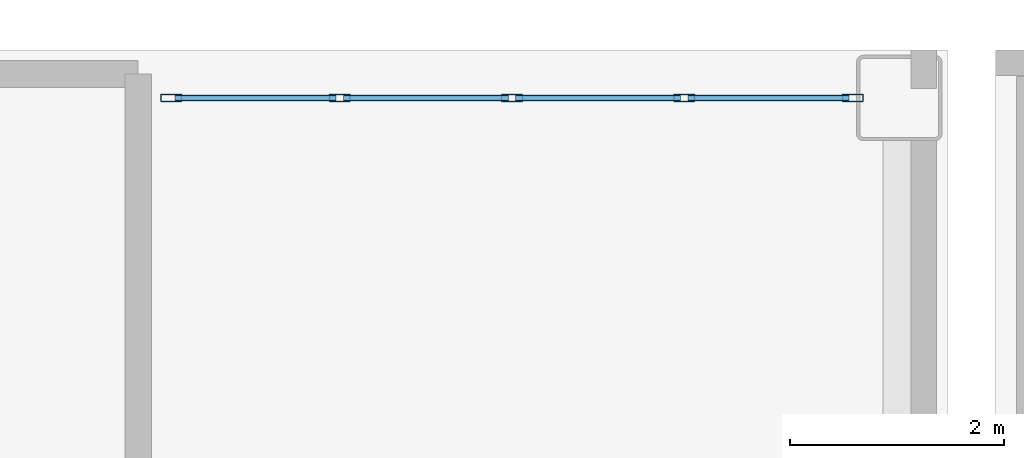
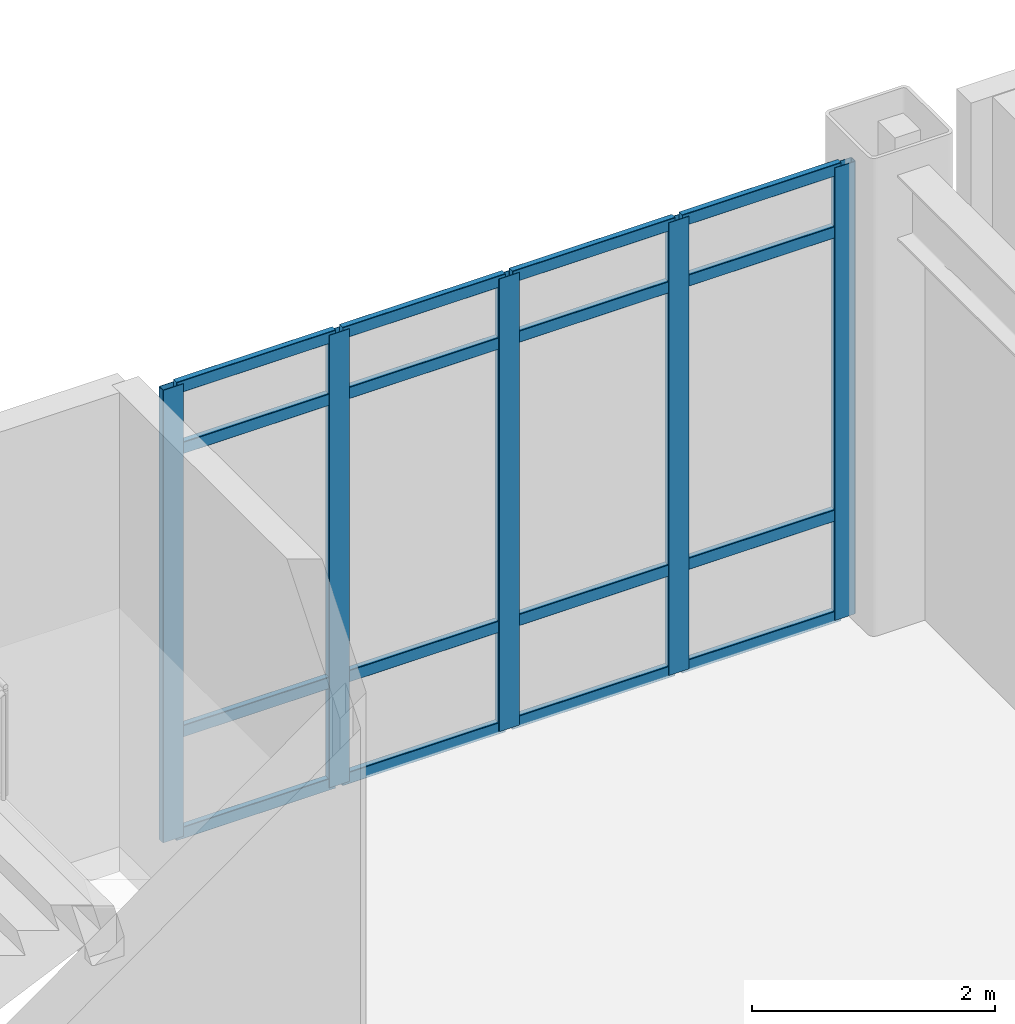
# One storey, part 73 of 154: 21 members, 1 element without a shape of its own.
"""IFC4 building model written with IfcOpenShell, lengths in metres."""

from ifc_helpers import new_model, si_unit, direction, frame, origin, origin_2d, place, context, subcontext, project, spatial, hollow_rectangle, extrude, material, layer, layer_set, material_profile, profile_set, type_object, element, aggregate, save


model = new_model("IFC4")

# Units and contexts
model_context = context("Model", 3, precision=1e-05, world=origin(), true_north=direction((0.0, 1.0)))
body_context = subcontext(model_context, "Body", "Model", "MODEL_VIEW")
ifc_project = project(units=[si_unit("LENGTHUNIT", "METRE"), si_unit("AREAUNIT", "SQUARE_METRE"), si_unit("VOLUMEUNIT", "CUBIC_METRE"), si_unit("PLANEANGLEUNIT", "RADIAN"), si_unit("MASSUNIT", "GRAM", prefix="KILO")], contexts=[model_context])

# Site, building, storey
site_placement = place(None, origin())
site = spatial("IfcSite", under=ifc_project, at=site_placement, CompositionType="ELEMENT")
building_placement = place(site_placement, origin())
building = spatial("IfcBuilding", under=site, at=building_placement, Name="Kazehara Bluff Congress Hotel", CompositionType="ELEMENT")
storey_placement = place(building_placement, frame((0.0, 0.0, 10.199951171875)))
storey = spatial("IfcBuildingStorey", under=building, at=storey_placement, Name="L02", CompositionType="ELEMENT", Elevation=10.199951171875)

# Curtain wall, members
ifc_material_1 = material(Name="Anodised aluminium", Category="aluminium")
ifc_layer = layer(ifc_material_1, 0.159912109375)
ifc_layer_set = layer_set([ifc_layer], Name="Anodised aluminium")
curtain_wall_type = type_object("IfcCurtainWallType", Name="TP-CW-11", PredefinedType="NOTDEFINED", material=ifc_layer_set)
curtain_wall_placement = place(storey_placement, origin())
curtain_wall = element("IfcCurtainWall", 1, at=curtain_wall_placement, inside=storey, type_object=curtain_wall_type, Name="L02 curtain wall CW-11 CW-V1-L02-Y11355-5150", PredefinedType="NOTDEFINED")
ifc_material_2 = material(Name="Anodised aluminium", Category="aluminium")
ifc_material_profile_1 = material_profile(ifc_material_2, hollow_rectangle(XDim=0.070068359375, YDim=0.199951171875, WallThickness=0.0048828125, InnerFilletRadius=0.0048828125, OuterFilletRadius=0.010009765625, at=origin_2d()))
ifc_profile_set_1 = profile_set([ifc_material_profile_1], Name="Anodised aluminium")
member_type_1 = type_object("IfcMemberType", Name="TP-CWM-03", PredefinedType="MULLION", material=ifc_profile_set_1)
member_1_placement = place(storey_placement, frame((51.534912109375, 113.550048828125, 0.0), z_axis=(0.0, 0.0, 1.0), x_axis=(0.0, 1.0, 0.0)))
member_1 = element("IfcMember", 2, at=member_1_placement, type_object=member_type_1, Name="CW-11 mullion 1", PredefinedType="MULLION", context=body_context, shape_type="SweptSolid", body=[
    extrude(hollow_rectangle(XDim=0.070068359375, YDim=0.199951171875, WallThickness=0.0048828125, InnerFilletRadius=0.0048828125, OuterFilletRadius=0.010009765625, at=origin_2d()), origin(), (0.0, 0.0, 1.0), 4.545166015625),
])
member_2_placement = place(storey_placement, frame((53.112548828125, 113.550048828125, 0.0), z_axis=(0.0, 0.0, 1.0), x_axis=(0.0, 1.0, 0.0)))
member_2 = element("IfcMember", 3, at=member_2_placement, type_object=member_type_1, Name="CW-11 mullion 2", PredefinedType="MULLION", context=body_context, shape_type="SweptSolid", body=[
    extrude(hollow_rectangle(XDim=0.070068359375, YDim=0.199951171875, WallThickness=0.0048828125, InnerFilletRadius=0.0048828125, OuterFilletRadius=0.010009765625, at=origin_2d()), origin(), (0.0, 0.0, 1.0), 4.545166015625),
])
member_3_placement = place(storey_placement, frame((54.72509765625, 113.550048828125, 0.0), z_axis=(0.0, 0.0, 1.0), x_axis=(0.0, 1.0, 0.0)))
member_3 = element("IfcMember", 4, at=member_3_placement, type_object=member_type_1, Name="CW-11 mullion 3", PredefinedType="MULLION", context=body_context, shape_type="SweptSolid", body=[
    extrude(hollow_rectangle(XDim=0.070068359375, YDim=0.199951171875, WallThickness=0.0048828125, InnerFilletRadius=0.0048828125, OuterFilletRadius=0.010009765625, at=origin_2d()), origin(), (0.0, 0.0, 1.0), 4.545166015625),
])
member_4_placement = place(storey_placement, frame((56.33740234375, 113.550048828125, 0.0), z_axis=(0.0, 0.0, 1.0), x_axis=(0.0, 1.0, 0.0)))
member_4 = element("IfcMember", 5, at=member_4_placement, type_object=member_type_1, Name="CW-11 mullion 4", PredefinedType="MULLION", context=body_context, shape_type="SweptSolid", body=[
    extrude(hollow_rectangle(XDim=0.070068359375, YDim=0.199951171875, WallThickness=0.0048828125, InnerFilletRadius=0.0048828125, OuterFilletRadius=0.010009765625, at=origin_2d()), origin(), (0.0, 0.0, 1.0), 4.545166015625),
])
member_5_placement = place(storey_placement, frame((57.9150390625, 113.550048828125, 0.0), z_axis=(0.0, 0.0, 1.0), x_axis=(0.0, 1.0, 0.0)))
member_5 = element("IfcMember", 6, at=member_5_placement, type_object=member_type_1, Name="CW-11 mullion 5", PredefinedType="MULLION", context=body_context, shape_type="SweptSolid", body=[
    extrude(hollow_rectangle(XDim=0.070068359375, YDim=0.199951171875, WallThickness=0.0048828125, InnerFilletRadius=0.0048828125, OuterFilletRadius=0.010009765625, at=origin_2d()), origin(), (0.0, 0.0, 1.0), 4.545166015625),
])
ifc_material_3 = material(Name="Anodised aluminium", Category="aluminium")
ifc_material_profile_2 = material_profile(ifc_material_3, hollow_rectangle(XDim=0.06005859375, YDim=0.1201171875, WallThickness=0.00390625, InnerFilletRadius=0.00390625, OuterFilletRadius=0.008056640625, at=origin_2d()))
ifc_profile_set_2 = profile_set([ifc_material_profile_2], Name="Anodised aluminium")
member_type_2 = type_object("IfcMemberType", Name="TP-CWT-01", PredefinedType="USERDEFINED", material=ifc_profile_set_2)
member_6_placement = place(storey_placement, frame((51.570068359375, 113.550048828125, 0.030029296875), z_axis=(1.0, 0.0, 0.0), x_axis=(0.0, 1.0, 0.0)))
member_6 = element("IfcMember", 7, at=member_6_placement, type_object=member_type_2, Name="CW-11 transom 1.1", ObjectType="TRANSOM", PredefinedType="USERDEFINED", context=body_context, shape_type="SweptSolid", body=[
    extrude(hollow_rectangle(XDim=0.06005859375, YDim=0.1201171875, WallThickness=0.00390625, InnerFilletRadius=0.00390625, OuterFilletRadius=0.008056640625, at=origin_2d()), origin(), (0.0, 0.0, 1.0), 1.50732421875),
])
member_7_placement = place(storey_placement, frame((51.570068359375, 113.550048828125, 1.050048828125), z_axis=(1.0, 0.0, 0.0), x_axis=(0.0, 1.0, 0.0)))
member_7 = element("IfcMember", 8, at=member_7_placement, type_object=member_type_2, Name="CW-11 transom 1.2", ObjectType="TRANSOM", PredefinedType="USERDEFINED", context=body_context, shape_type="SweptSolid", body=[
    extrude(hollow_rectangle(XDim=0.06005859375, YDim=0.1201171875, WallThickness=0.00390625, InnerFilletRadius=0.00390625, OuterFilletRadius=0.008056640625, at=origin_2d()), origin(), (0.0, 0.0, 1.0), 1.50732421875),
])
member_8_placement = place(storey_placement, frame((51.570068359375, 113.550048828125, 3.89501953125), z_axis=(1.0, 0.0, 0.0), x_axis=(0.0, 1.0, 0.0)))
member_8 = element("IfcMember", 9, at=member_8_placement, type_object=member_type_2, Name="CW-11 transom 1.3", ObjectType="TRANSOM", PredefinedType="USERDEFINED", context=body_context, shape_type="SweptSolid", body=[
    extrude(hollow_rectangle(XDim=0.06005859375, YDim=0.1201171875, WallThickness=0.00390625, InnerFilletRadius=0.00390625, OuterFilletRadius=0.008056640625, at=origin_2d()), origin(), (0.0, 0.0, 1.0), 1.50732421875),
])
member_9_placement = place(storey_placement, frame((51.570068359375, 113.550048828125, 4.51513671875), z_axis=(1.0, 0.0, 0.0), x_axis=(0.0, 1.0, 0.0)))
member_9 = element("IfcMember", 10, at=member_9_placement, type_object=member_type_2, Name="CW-11 transom 1.4", ObjectType="TRANSOM", PredefinedType="USERDEFINED", context=body_context, shape_type="SweptSolid", body=[
    extrude(hollow_rectangle(XDim=0.06005859375, YDim=0.1201171875, WallThickness=0.00390625, InnerFilletRadius=0.00390625, OuterFilletRadius=0.008056640625, at=origin_2d()), origin(), (0.0, 0.0, 1.0), 1.50732421875),
])
member_10_placement = place(storey_placement, frame((53.1474609375, 113.550048828125, 0.030029296875), z_axis=(1.0, 0.0, 0.0), x_axis=(0.0, 1.0, 0.0)))
member_10 = element("IfcMember", 11, at=member_10_placement, type_object=member_type_2, Name="CW-11 transom 2.1", ObjectType="TRANSOM", PredefinedType="USERDEFINED", context=body_context, shape_type="SweptSolid", body=[
    extrude(hollow_rectangle(XDim=0.06005859375, YDim=0.1201171875, WallThickness=0.00390625, InnerFilletRadius=0.00390625, OuterFilletRadius=0.008056640625, at=origin_2d()), origin(), (0.0, 0.0, 1.0), 1.54248046875),
])
member_11_placement = place(storey_placement, frame((53.1474609375, 113.550048828125, 1.050048828125), z_axis=(1.0, 0.0, 0.0), x_axis=(0.0, 1.0, 0.0)))
member_11 = element("IfcMember", 12, at=member_11_placement, type_object=member_type_2, Name="CW-11 transom 2.2", ObjectType="TRANSOM", PredefinedType="USERDEFINED", context=body_context, shape_type="SweptSolid", body=[
    extrude(hollow_rectangle(XDim=0.06005859375, YDim=0.1201171875, WallThickness=0.00390625, InnerFilletRadius=0.00390625, OuterFilletRadius=0.008056640625, at=origin_2d()), origin(), (0.0, 0.0, 1.0), 1.54248046875),
])
member_12_placement = place(storey_placement, frame((53.1474609375, 113.550048828125, 3.89501953125), z_axis=(1.0, 0.0, 0.0), x_axis=(0.0, 1.0, 0.0)))
member_12 = element("IfcMember", 13, at=member_12_placement, type_object=member_type_2, Name="CW-11 transom 2.3", ObjectType="TRANSOM", PredefinedType="USERDEFINED", context=body_context, shape_type="SweptSolid", body=[
    extrude(hollow_rectangle(XDim=0.06005859375, YDim=0.1201171875, WallThickness=0.00390625, InnerFilletRadius=0.00390625, OuterFilletRadius=0.008056640625, at=origin_2d()), origin(), (0.0, 0.0, 1.0), 1.54248046875),
])
member_13_placement = place(storey_placement, frame((53.1474609375, 113.550048828125, 4.51513671875), z_axis=(1.0, 0.0, 0.0), x_axis=(0.0, 1.0, 0.0)))
member_13 = element("IfcMember", 14, at=member_13_placement, type_object=member_type_2, Name="CW-11 transom 2.4", ObjectType="TRANSOM", PredefinedType="USERDEFINED", context=body_context, shape_type="SweptSolid", body=[
    extrude(hollow_rectangle(XDim=0.06005859375, YDim=0.1201171875, WallThickness=0.00390625, InnerFilletRadius=0.00390625, OuterFilletRadius=0.008056640625, at=origin_2d()), origin(), (0.0, 0.0, 1.0), 1.54248046875),
])
member_14_placement = place(storey_placement, frame((54.760009765625, 113.550048828125, 0.030029296875), z_axis=(1.0, 0.0, 0.0), x_axis=(0.0, 1.0, 0.0)))
member_14 = element("IfcMember", 15, at=member_14_placement, type_object=member_type_2, Name="CW-11 transom 3.1", ObjectType="TRANSOM", PredefinedType="USERDEFINED", context=body_context, shape_type="SweptSolid", body=[
    extrude(hollow_rectangle(XDim=0.06005859375, YDim=0.1201171875, WallThickness=0.00390625, InnerFilletRadius=0.00390625, OuterFilletRadius=0.008056640625, at=origin_2d()), origin(), (0.0, 0.0, 1.0), 1.54248046875),
])
member_15_placement = place(storey_placement, frame((54.760009765625, 113.550048828125, 1.050048828125), z_axis=(1.0, 0.0, 0.0), x_axis=(0.0, 1.0, 0.0)))
member_15 = element("IfcMember", 16, at=member_15_placement, type_object=member_type_2, Name="CW-11 transom 3.2", ObjectType="TRANSOM", PredefinedType="USERDEFINED", context=body_context, shape_type="SweptSolid", body=[
    extrude(hollow_rectangle(XDim=0.06005859375, YDim=0.1201171875, WallThickness=0.00390625, InnerFilletRadius=0.00390625, OuterFilletRadius=0.008056640625, at=origin_2d()), origin(), (0.0, 0.0, 1.0), 1.54248046875),
])
member_16_placement = place(storey_placement, frame((54.760009765625, 113.550048828125, 3.89501953125), z_axis=(1.0, 0.0, 0.0), x_axis=(0.0, 1.0, 0.0)))
member_16 = element("IfcMember", 17, at=member_16_placement, type_object=member_type_2, Name="CW-11 transom 3.3", ObjectType="TRANSOM", PredefinedType="USERDEFINED", context=body_context, shape_type="SweptSolid", body=[
    extrude(hollow_rectangle(XDim=0.06005859375, YDim=0.1201171875, WallThickness=0.00390625, InnerFilletRadius=0.00390625, OuterFilletRadius=0.008056640625, at=origin_2d()), origin(), (0.0, 0.0, 1.0), 1.54248046875),
])
member_17_placement = place(storey_placement, frame((54.760009765625, 113.550048828125, 4.51513671875), z_axis=(1.0, 0.0, 0.0), x_axis=(0.0, 1.0, 0.0)))
member_17 = element("IfcMember", 18, at=member_17_placement, type_object=member_type_2, Name="CW-11 transom 3.4", ObjectType="TRANSOM", PredefinedType="USERDEFINED", context=body_context, shape_type="SweptSolid", body=[
    extrude(hollow_rectangle(XDim=0.06005859375, YDim=0.1201171875, WallThickness=0.00390625, InnerFilletRadius=0.00390625, OuterFilletRadius=0.008056640625, at=origin_2d()), origin(), (0.0, 0.0, 1.0), 1.54248046875),
])
member_18_placement = place(storey_placement, frame((56.37255859375, 113.550048828125, 0.030029296875), z_axis=(1.0, 0.0, 0.0), x_axis=(0.0, 1.0, 0.0)))
member_18 = element("IfcMember", 19, at=member_18_placement, type_object=member_type_2, Name="CW-11 transom 4.1", ObjectType="TRANSOM", PredefinedType="USERDEFINED", context=body_context, shape_type="SweptSolid", body=[
    extrude(hollow_rectangle(XDim=0.06005859375, YDim=0.1201171875, WallThickness=0.00390625, InnerFilletRadius=0.00390625, OuterFilletRadius=0.008056640625, at=origin_2d()), origin(), (0.0, 0.0, 1.0), 1.50732421875),
])
member_19_placement = place(storey_placement, frame((56.37255859375, 113.550048828125, 1.050048828125), z_axis=(1.0, 0.0, 0.0), x_axis=(0.0, 1.0, 0.0)))
member_19 = element("IfcMember", 20, at=member_19_placement, type_object=member_type_2, Name="CW-11 transom 4.2", ObjectType="TRANSOM", PredefinedType="USERDEFINED", context=body_context, shape_type="SweptSolid", body=[
    extrude(hollow_rectangle(XDim=0.06005859375, YDim=0.1201171875, WallThickness=0.00390625, InnerFilletRadius=0.00390625, OuterFilletRadius=0.008056640625, at=origin_2d()), origin(), (0.0, 0.0, 1.0), 1.50732421875),
])
member_20_placement = place(storey_placement, frame((56.37255859375, 113.550048828125, 3.89501953125), z_axis=(1.0, 0.0, 0.0), x_axis=(0.0, 1.0, 0.0)))
member_20 = element("IfcMember", 21, at=member_20_placement, type_object=member_type_2, Name="CW-11 transom 4.3", ObjectType="TRANSOM", PredefinedType="USERDEFINED", context=body_context, shape_type="SweptSolid", body=[
    extrude(hollow_rectangle(XDim=0.06005859375, YDim=0.1201171875, WallThickness=0.00390625, InnerFilletRadius=0.00390625, OuterFilletRadius=0.008056640625, at=origin_2d()), origin(), (0.0, 0.0, 1.0), 1.50732421875),
])
member_21_placement = place(storey_placement, frame((56.37255859375, 113.550048828125, 4.51513671875), z_axis=(1.0, 0.0, 0.0), x_axis=(0.0, 1.0, 0.0)))
member_21 = element("IfcMember", 22, at=member_21_placement, type_object=member_type_2, Name="CW-11 transom 4.4", ObjectType="TRANSOM", PredefinedType="USERDEFINED", context=body_context, shape_type="SweptSolid", body=[
    extrude(hollow_rectangle(XDim=0.06005859375, YDim=0.1201171875, WallThickness=0.00390625, InnerFilletRadius=0.00390625, OuterFilletRadius=0.008056640625, at=origin_2d()), origin(), (0.0, 0.0, 1.0), 1.50732421875),
])
aggregate(curtain_wall, [member_1, member_2, member_3, member_4, member_5, member_6, member_7, member_8, member_9, member_10, member_11, member_12, member_13, member_14, member_15, member_16, member_17, member_18, member_19, member_20, member_21])

save(model, "model.ifc")
